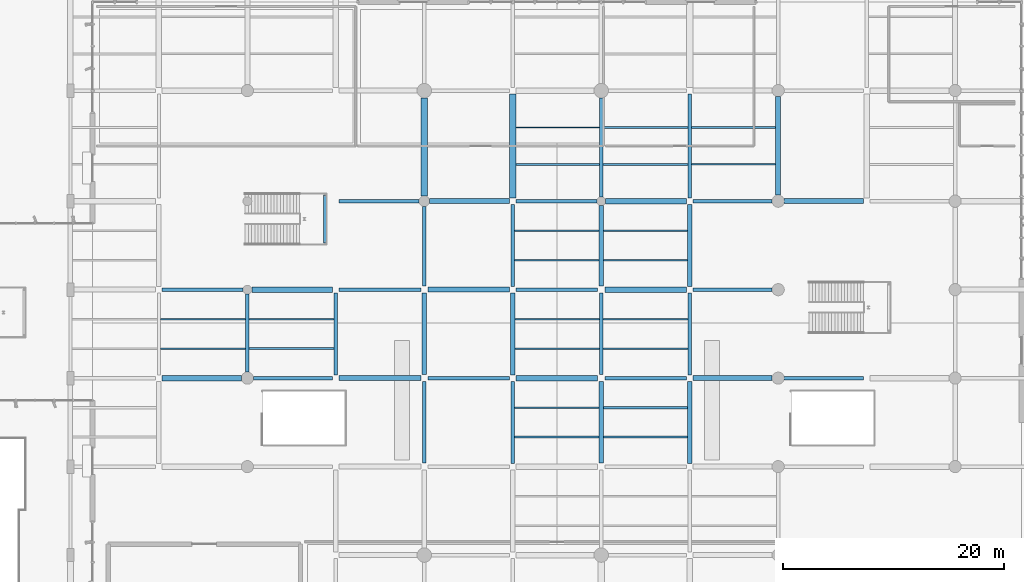
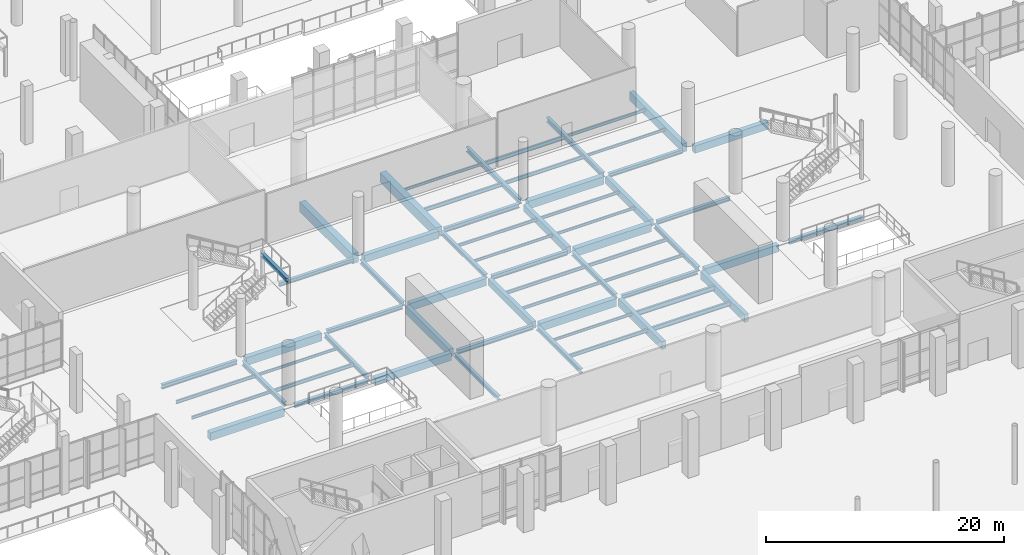
# One storey, part 66 of 163: 63 beams.
"""IFC4 building model written with IfcOpenShell, lengths in metres."""

from ifc_helpers import new_model, si_unit, direction, frame, origin, origin_2d, place, context, subcontext, project, spatial, rectangle, i_section, extrude, material, material_profile, profile_set, type_object, element, save


model = new_model("IFC4")

# Units and contexts
model_context = context("Model", 3, precision=1e-05, world=origin(), true_north=direction((0.0, 1.0)))
body_context = subcontext(model_context, "Body", "Model", "MODEL_VIEW")
ifc_project = project(units=[si_unit("LENGTHUNIT", "METRE"), si_unit("AREAUNIT", "SQUARE_METRE"), si_unit("VOLUMEUNIT", "CUBIC_METRE"), si_unit("PLANEANGLEUNIT", "RADIAN"), si_unit("MASSUNIT", "GRAM", prefix="KILO")], contexts=[model_context])

# Site, building, storey
site_placement = place(None, origin())
site = spatial("IfcSite", under=ifc_project, at=site_placement, CompositionType="ELEMENT")
building_placement = place(site_placement, origin())
building = spatial("IfcBuilding", under=site, at=building_placement, Name="Khorjan Park Terminus", CompositionType="ELEMENT")
storey_placement = place(building_placement, origin())
storey = spatial("IfcBuildingStorey", under=building, at=storey_placement, Name="L00", CompositionType="ELEMENT", Elevation=0.0)

# Beams
ifc_material_1 = material(Name="Steel S355", Category="steel")
ifc_material_profile_1 = material_profile(ifc_material_1, i_section(OverallWidth=0.3, OverallDepth=0.39, WebThickness=0.011, FlangeThickness=0.019, FilletRadius=0.027, at=origin_2d()), Name="HEA 400")
ifc_profile_set_1 = profile_set([ifc_material_profile_1], Name="Steel S355")
beam_type_1 = type_object("IfcBeamType", Name="BM-HEA400", PredefinedType="BEAM", material=ifc_profile_set_1)
beam_1_placement = place(storey_placement, frame((64.545, 52.0, -0.555), z_axis=(1.0, 0.0, 0.0), x_axis=(0.0, 1.0, 0.0)))
element("IfcBeam", 1, at=beam_1_placement, inside=storey, type_object=beam_type_1, Name="Primary floor girder SB-A40 (L00)", PredefinedType="BEAM", context=body_context, shape_type="SweptSolid", body=[
    extrude(i_section(OverallWidth=0.3, OverallDepth=0.39, WebThickness=0.011, FlangeThickness=0.019, FilletRadius=0.027, at=origin_2d()), origin(), (0.0, 0.0, 1.0), 7.16),
])
for number, where, z_axis, x_axis, name in (
    (2, (96.32, 52.0, -0.545), (1.0, 0.0, 0.0), (0.0, 1.0, 0.0), "Primary floor girder SB-A40 (L00)"),
    (3, (72.295, 60.0, -0.555), (1.0, 0.0, 0.0), (0.0, 1.0, 0.0), "Primary floor girder SB-A40 (L00)"),
):
    element("IfcBeam", number, at=place(storey_placement, frame(where, z_axis=z_axis, x_axis=x_axis)), inside=storey, type_object=beam_type_1, Name=name, PredefinedType="BEAM", context=body_context, shape_type="SweptSolid", body=[
        extrude(i_section(OverallWidth=0.3, OverallDepth=0.39, WebThickness=0.011, FlangeThickness=0.019, FilletRadius=0.027, at=origin_2d()), origin(), (0.0, 0.0, 1.0), 7.385),
    ])
beam_2_placement = place(storey_placement, frame((104.295, 60.0, -0.545), z_axis=(1.0, 0.0, 0.0), x_axis=(0.0, 1.0, 0.0)))
element("IfcBeam", 4, at=beam_2_placement, inside=storey, type_object=beam_type_1, Name="Primary floor girder SB-A40 (L00)", PredefinedType="BEAM", context=body_context, shape_type="SweptSolid", body=[
    extrude(i_section(OverallWidth=0.3, OverallDepth=0.39, WebThickness=0.011, FlangeThickness=0.019, FilletRadius=0.027, at=origin_2d()), origin(), (0.0, 0.0, 1.0), 7.16),
])
beam_3_placement = place(storey_placement, frame((72.295, 68.0, -0.555), z_axis=(1.0, 0.0, 0.0), x_axis=(0.0, 1.0, 0.0)))
element("IfcBeam", 5, at=beam_3_placement, inside=storey, type_object=beam_type_1, Name="Primary floor girder SB-A40 (L00)", PredefinedType="BEAM", context=body_context, shape_type="SweptSolid", body=[
    extrude(i_section(OverallWidth=0.3, OverallDepth=0.39, WebThickness=0.011, FlangeThickness=0.019, FilletRadius=0.027, at=origin_2d()), origin(), (0.0, 0.0, 1.0), 7.235),
])
beam_4_placement = place(storey_placement, frame((104.295, 68.0, -0.545), z_axis=(1.0, 0.0, 0.0), x_axis=(0.0, 1.0, 0.0)))
element("IfcBeam", 6, at=beam_4_placement, inside=storey, type_object=beam_type_1, Name="Primary floor girder SB-A40 (L00)", PredefinedType="BEAM", context=body_context, shape_type="SweptSolid", body=[
    extrude(i_section(OverallWidth=0.3, OverallDepth=0.39, WebThickness=0.011, FlangeThickness=0.019, FilletRadius=0.027, at=origin_2d()), origin(), (0.0, 0.0, 1.0), 7.16),
])
beam_5_placement = place(storey_placement, frame((71.05, 64.22, 2.605), z_axis=(0.0, 1.0, 0.0), x_axis=(-1.0, 0.0, 0.0)))
element("IfcBeam", 7, at=beam_5_placement, inside=storey, type_object=beam_type_1, Name="Stair CS-03 half-landing support beam SB-A40", PredefinedType="BEAM", context=body_context, shape_type="SweptSolid", body=[
    extrude(i_section(OverallWidth=0.3, OverallDepth=0.39, WebThickness=0.011, FlangeThickness=0.019, FilletRadius=0.027, at=origin_2d()), origin(), (0.0, 0.0, 1.0), 4.36),
])
ifc_material_profile_2 = material_profile(ifc_material_1, i_section(OverallWidth=0.3, OverallDepth=0.44, WebThickness=0.0115, FlangeThickness=0.021, FilletRadius=0.027, at=origin_2d()), Name="HEA 450")
ifc_profile_set_2 = profile_set([ifc_material_profile_2], Name="Steel S355")
beam_type_2 = type_object("IfcBeamType", Name="BM-HEA450", PredefinedType="BEAM", material=ifc_profile_set_2)
beam_6_placement = place(storey_placement, frame((80.32, 52.0, -0.58), z_axis=(1.0, 0.0, 0.0), x_axis=(0.0, 1.0, 0.0)))
element("IfcBeam", 8, at=beam_6_placement, inside=storey, type_object=beam_type_2, Name="Primary floor girder SB-A45 (L00)", PredefinedType="BEAM", context=body_context, shape_type="SweptSolid", body=[
    extrude(i_section(OverallWidth=0.3, OverallDepth=0.44, WebThickness=0.0115, FlangeThickness=0.021, FilletRadius=0.027, at=origin_2d()), origin(), (0.0, 0.0, 1.0), 7.385),
])
beam_7_placement = place(storey_placement, frame((112.545, 52.0, -0.57), z_axis=(1.0, 0.0, 0.0), x_axis=(0.0, 1.0, 0.0)))
element("IfcBeam", 9, at=beam_7_placement, inside=storey, type_object=beam_type_2, Name="Primary floor girder SB-A45 (L00)", PredefinedType="BEAM", context=body_context, shape_type="SweptSolid", body=[
    extrude(i_section(OverallWidth=0.3, OverallDepth=0.44, WebThickness=0.0115, FlangeThickness=0.021, FilletRadius=0.027, at=origin_2d()), origin(), (0.0, 0.0, 1.0), 7.16),
])
beam_8_placement = place(storey_placement, frame((56.295, 60.0, -0.58), z_axis=(1.0, 0.0, 0.0), x_axis=(0.0, 1.0, 0.0)))
element("IfcBeam", 10, at=beam_8_placement, inside=storey, type_object=beam_type_2, Name="Primary floor girder SB-A45 (L00)", PredefinedType="BEAM", context=body_context, shape_type="SweptSolid", body=[
    extrude(i_section(OverallWidth=0.3, OverallDepth=0.44, WebThickness=0.0115, FlangeThickness=0.021, FilletRadius=0.027, at=origin_2d()), origin(), (0.0, 0.0, 1.0), 7.31),
])
beam_9_placement = place(storey_placement, frame((88.295, 60.0, -0.58), z_axis=(1.0, 0.0, 0.0), x_axis=(0.0, 1.0, 0.0)))
element("IfcBeam", 11, at=beam_9_placement, inside=storey, type_object=beam_type_2, Name="Primary floor girder SB-A45 (L00)", PredefinedType="BEAM", context=body_context, shape_type="SweptSolid", body=[
    extrude(i_section(OverallWidth=0.3, OverallDepth=0.44, WebThickness=0.0115, FlangeThickness=0.021, FilletRadius=0.027, at=origin_2d()), origin(), (0.0, 0.0, 1.0), 7.385),
])
beam_10_placement = place(storey_placement, frame((88.295, 68.0, -0.58), z_axis=(1.0, 0.0, 0.0), x_axis=(0.0, 1.0, 0.0)))
element("IfcBeam", 12, at=beam_10_placement, inside=storey, type_object=beam_type_2, Name="Primary floor girder SB-A45 (L00)", PredefinedType="BEAM", context=body_context, shape_type="SweptSolid", body=[
    extrude(i_section(OverallWidth=0.3, OverallDepth=0.44, WebThickness=0.0115, FlangeThickness=0.021, FilletRadius=0.027, at=origin_2d()), origin(), (0.0, 0.0, 1.0), 7.31),
])
ifc_material_profile_3 = material_profile(ifc_material_1, i_section(OverallWidth=0.3, OverallDepth=0.4, WebThickness=0.0135, FlangeThickness=0.024, FilletRadius=0.027, at=origin_2d()), Name="HEB 400")
ifc_profile_set_3 = profile_set([ifc_material_profile_3], Name="Steel S355")
beam_type_3 = type_object("IfcBeamType", Name="BM-HEB400", PredefinedType="BEAM", material=ifc_profile_set_3)
beam_11_placement = place(storey_placement, frame((80.0, 44.32, -0.56), z_axis=(0.0, 1.0, 0.0), x_axis=(-1.0, 0.0, 0.0)))
element("IfcBeam", 13, at=beam_11_placement, inside=storey, type_object=beam_type_3, Name="Primary floor girder SB-B40 (L00)", PredefinedType="BEAM", context=body_context, shape_type="SweptSolid", body=[
    extrude(i_section(OverallWidth=0.3, OverallDepth=0.4, WebThickness=0.0135, FlangeThickness=0.024, FilletRadius=0.027, at=origin_2d()), origin(), (0.0, 0.0, 1.0), 7.36),
])
beam_12_placement = place(storey_placement, frame((88.0, 60.295, -0.56), z_axis=(0.0, 1.0, 0.0), x_axis=(-1.0, 0.0, 0.0)))
element("IfcBeam", 14, at=beam_12_placement, inside=storey, type_object=beam_type_3, Name="Primary floor girder SB-B40 (L00)", PredefinedType="BEAM", context=body_context, shape_type="SweptSolid", body=[
    extrude(i_section(OverallWidth=0.3, OverallDepth=0.4, WebThickness=0.0135, FlangeThickness=0.024, FilletRadius=0.027, at=origin_2d()), origin(), (0.0, 0.0, 1.0), 7.41),
])
ifc_material_profile_4 = material_profile(ifc_material_1, i_section(OverallWidth=0.3, OverallDepth=0.45, WebThickness=0.014, FlangeThickness=0.026, FilletRadius=0.027, at=origin_2d()), Name="HEB 450")
ifc_profile_set_4 = profile_set([ifc_material_profile_4], Name="Steel S355")
beam_type_4 = type_object("IfcBeamType", Name="BM-HEB450", PredefinedType="BEAM", material=ifc_profile_set_4)
beam_13_placement = place(storey_placement, frame((64.0, 52.545, -0.585), z_axis=(0.0, 1.0, 0.0), x_axis=(-1.0, 0.0, 0.0)))
element("IfcBeam", 15, at=beam_13_placement, inside=storey, type_object=beam_type_4, Name="Primary floor girder SB-B45 (L00)", PredefinedType="BEAM", context=body_context, shape_type="SweptSolid", body=[
    extrude(i_section(OverallWidth=0.3, OverallDepth=0.45, WebThickness=0.014, FlangeThickness=0.026, FilletRadius=0.027, at=origin_2d()), origin(), (0.0, 0.0, 1.0), 7.06),
])
beam_14_placement = place(storey_placement, frame((72.0, 52.295, -0.585), z_axis=(0.0, 1.0, 0.0), x_axis=(-1.0, 0.0, 0.0)))
element("IfcBeam", 16, at=beam_14_placement, inside=storey, type_object=beam_type_4, Name="Primary floor girder SB-B45 (L00)", PredefinedType="BEAM", context=body_context, shape_type="SweptSolid", body=[
    extrude(i_section(OverallWidth=0.3, OverallDepth=0.45, WebThickness=0.014, FlangeThickness=0.026, FilletRadius=0.027, at=origin_2d()), origin(), (0.0, 0.0, 1.0), 7.41),
])
beam_15_placement = place(storey_placement, frame((80.0, 60.32, -0.585), z_axis=(0.0, 1.0, 0.0), x_axis=(-1.0, 0.0, 0.0)))
element("IfcBeam", 17, at=beam_15_placement, inside=storey, type_object=beam_type_4, Name="Primary floor girder SB-B45 (L00)", PredefinedType="BEAM", context=body_context, shape_type="SweptSolid", body=[
    extrude(i_section(OverallWidth=0.3, OverallDepth=0.45, WebThickness=0.014, FlangeThickness=0.026, FilletRadius=0.027, at=origin_2d()), origin(), (0.0, 0.0, 1.0), 7.21),
])
beam_16_placement = place(storey_placement, frame((88.0, 44.295, -0.585), z_axis=(0.0, 1.0, 0.0), x_axis=(-1.0, 0.0, 0.0)))
element("IfcBeam", 18, at=beam_16_placement, inside=storey, type_object=beam_type_4, Name="Primary floor girder SB-B45 (L00)", PredefinedType="BEAM", context=body_context, shape_type="SweptSolid", body=[
    extrude(i_section(OverallWidth=0.3, OverallDepth=0.45, WebThickness=0.014, FlangeThickness=0.026, FilletRadius=0.027, at=origin_2d()), origin(), (0.0, 0.0, 1.0), 7.41),
])
beam_17_placement = place(storey_placement, frame((96.0, 52.32, -0.575), z_axis=(0.0, 1.0, 0.0), x_axis=(-1.0, 0.0, 0.0)))
element("IfcBeam", 19, at=beam_17_placement, inside=storey, type_object=beam_type_4, Name="Primary floor girder SB-B45 (L00)", PredefinedType="BEAM", context=body_context, shape_type="SweptSolid", body=[
    extrude(i_section(OverallWidth=0.3, OverallDepth=0.45, WebThickness=0.014, FlangeThickness=0.026, FilletRadius=0.027, at=origin_2d()), origin(), (0.0, 0.0, 1.0), 7.36),
])
beam_18_placement = place(storey_placement, frame((104.0, 52.295, -0.575), z_axis=(0.0, 1.0, 0.0), x_axis=(-1.0, 0.0, 0.0)))
element("IfcBeam", 20, at=beam_18_placement, inside=storey, type_object=beam_type_4, Name="Primary floor girder SB-B45 (L00)", PredefinedType="BEAM", context=body_context, shape_type="SweptSolid", body=[
    extrude(i_section(OverallWidth=0.3, OverallDepth=0.45, WebThickness=0.014, FlangeThickness=0.026, FilletRadius=0.027, at=origin_2d()), origin(), (0.0, 0.0, 1.0), 7.41),
])
ifc_material_profile_5 = material_profile(ifc_material_1, i_section(OverallWidth=0.3, OverallDepth=0.5, WebThickness=0.0145, FlangeThickness=0.028, FilletRadius=0.027, at=origin_2d()), Name="HEB 500")
ifc_profile_set_5 = profile_set([ifc_material_profile_5], Name="Steel S355")
beam_type_5 = type_object("IfcBeamType", Name="BM-HEB500", PredefinedType="BEAM", material=ifc_profile_set_5)
beam_19_placement = place(storey_placement, frame((96.0, 68.395, -0.6), z_axis=(0.0, 1.0, 0.0), x_axis=(-1.0, 0.0, 0.0)))
element("IfcBeam", 21, at=beam_19_placement, inside=storey, type_object=beam_type_5, Name="Primary floor girder SB-B50 (L00)", PredefinedType="BEAM", context=body_context, shape_type="SweptSolid", body=[
    extrude(i_section(OverallWidth=0.3, OverallDepth=0.5, WebThickness=0.0145, FlangeThickness=0.028, FilletRadius=0.027, at=origin_2d()), origin(), (0.0, 0.0, 1.0), 8.96),
])
beam_20_placement = place(storey_placement, frame((104.0, 68.295, -0.6), z_axis=(0.0, 1.0, 0.0), x_axis=(-1.0, 0.0, 0.0)))
element("IfcBeam", 22, at=beam_20_placement, inside=storey, type_object=beam_type_5, Name="Primary floor girder SB-B50 (L00)", PredefinedType="BEAM", context=body_context, shape_type="SweptSolid", body=[
    extrude(i_section(OverallWidth=0.3, OverallDepth=0.5, WebThickness=0.0145, FlangeThickness=0.028, FilletRadius=0.027, at=origin_2d()), origin(), (0.0, 0.0, 1.0), 9.41),
])
ifc_material_2 = material(Name="Concrete C40/50", Category="concrete")
ifc_material_profile_6 = material_profile(ifc_material_2, rectangle(XDim=0.4, YDim=0.7, at=origin_2d()), Name="RC 400x700")
ifc_profile_set_6 = profile_set([ifc_material_profile_6], Name="Concrete C40/50")
beam_type_6 = type_object("IfcBeamType", Name="BM-RC400x700", PredefinedType="BEAM", material=ifc_profile_set_6)
beam_21_placement = place(storey_placement, frame((88.0, 52.295, -0.71), z_axis=(0.0, 1.0, 0.0), x_axis=(-1.0, 0.0, 0.0)))
element("IfcBeam", 23, at=beam_21_placement, inside=storey, type_object=beam_type_6, Name="Primary floor girder GB-07 (L00)", PredefinedType="BEAM", context=body_context, shape_type="SweptSolid", body=[
    extrude(rectangle(XDim=0.4, YDim=0.7, at=origin_2d()), origin(), (0.0, 0.0, 1.0), 7.41),
])
beam_22_placement = place(storey_placement, frame((96.0, 60.32, -0.7), z_axis=(0.0, 1.0, 0.0), x_axis=(-1.0, 0.0, 0.0)))
element("IfcBeam", 24, at=beam_22_placement, inside=storey, type_object=beam_type_6, Name="Primary floor girder GB-07 (L00)", PredefinedType="BEAM", context=body_context, shape_type="SweptSolid", body=[
    extrude(rectangle(XDim=0.4, YDim=0.7, at=origin_2d()), origin(), (0.0, 0.0, 1.0), 7.285),
])
beam_23_placement = place(storey_placement, frame((104.0, 60.295, -0.7), z_axis=(0.0, 1.0, 0.0), x_axis=(-1.0, 0.0, 0.0)))
element("IfcBeam", 25, at=beam_23_placement, inside=storey, type_object=beam_type_6, Name="Primary floor girder GB-07 (L00)", PredefinedType="BEAM", context=body_context, shape_type="SweptSolid", body=[
    extrude(rectangle(XDim=0.4, YDim=0.7, at=origin_2d()), origin(), (0.0, 0.0, 1.0), 7.41),
])
ifc_material_profile_7 = material_profile(ifc_material_2, rectangle(XDim=0.4, YDim=0.8, at=origin_2d()), Name="RC 400x800")
ifc_profile_set_7 = profile_set([ifc_material_profile_7], Name="Concrete C40/50")
beam_type_7 = type_object("IfcBeamType", Name="BM-RC400x800", PredefinedType="BEAM", material=ifc_profile_set_7)
for number, where, z_axis, x_axis, name in (
    (26, (80.0, 52.32, -0.76), (0.0, 1.0, 0.0), (-1.0, 0.0, 0.0), "Primary floor girder GB-08B (L00)"),
    (27, (96.0, 44.32, -0.75), (0.0, 1.0, 0.0), (-1.0, 0.0, 0.0), "Primary floor girder GB-08B (L00)"),
):
    element("IfcBeam", number, at=place(storey_placement, frame(where, z_axis=z_axis, x_axis=x_axis)), inside=storey, type_object=beam_type_7, Name=name, PredefinedType="BEAM", context=body_context, shape_type="SweptSolid", body=[
        extrude(rectangle(XDim=0.4, YDim=0.8, at=origin_2d()), origin(), (0.0, 0.0, 1.0), 7.36),
    ])
beam_24_placement = place(storey_placement, frame((104.0, 44.295, -0.75), z_axis=(0.0, 1.0, 0.0), x_axis=(-1.0, 0.0, 0.0)))
element("IfcBeam", 28, at=beam_24_placement, inside=storey, type_object=beam_type_7, Name="Primary floor girder GB-08B (L00)", PredefinedType="BEAM", context=body_context, shape_type="SweptSolid", body=[
    extrude(rectangle(XDim=0.4, YDim=0.8, at=origin_2d()), origin(), (0.0, 0.0, 1.0), 7.41),
])
ifc_material_profile_8 = material_profile(ifc_material_2, rectangle(XDim=0.45, YDim=0.75, at=origin_2d()), Name="RC 450x750")
ifc_profile_set_8 = profile_set([ifc_material_profile_8], Name="Concrete C40/50")
beam_type_8 = type_object("IfcBeamType", Name="BM-RC450x750", PredefinedType="BEAM", material=ifc_profile_set_8)
beam_25_placement = place(storey_placement, frame((72.295, 52.0, -0.735), z_axis=(1.0, 0.0, 0.0), x_axis=(0.0, 1.0, 0.0)))
element("IfcBeam", 29, at=beam_25_placement, inside=storey, type_object=beam_type_8, Name="Primary floor girder GB-75 (L00)", PredefinedType="BEAM", context=body_context, shape_type="SweptSolid", body=[
    extrude(rectangle(XDim=0.45, YDim=0.75, at=origin_2d()), origin(), (0.0, 0.0, 1.0), 7.385),
])
beam_26_placement = place(storey_placement, frame((104.295, 52.0, -0.725), z_axis=(1.0, 0.0, 0.0), x_axis=(0.0, 1.0, 0.0)))
element("IfcBeam", 30, at=beam_26_placement, inside=storey, type_object=beam_type_8, Name="Primary floor girder GB-75 (L00)", PredefinedType="BEAM", context=body_context, shape_type="SweptSolid", body=[
    extrude(rectangle(XDim=0.45, YDim=0.75, at=origin_2d()), origin(), (0.0, 0.0, 1.0), 7.16),
])
beam_27_placement = place(storey_placement, frame((80.32, 60.0, -0.735), z_axis=(1.0, 0.0, 0.0), x_axis=(0.0, 1.0, 0.0)))
element("IfcBeam", 31, at=beam_27_placement, inside=storey, type_object=beam_type_8, Name="Primary floor girder GB-75 (L00)", PredefinedType="BEAM", context=body_context, shape_type="SweptSolid", body=[
    extrude(rectangle(XDim=0.45, YDim=0.75, at=origin_2d()), origin(), (0.0, 0.0, 1.0), 7.385),
])
beam_28_placement = place(storey_placement, frame((80.47, 68.0, -0.735), z_axis=(1.0, 0.0, 0.0), x_axis=(0.0, 1.0, 0.0)))
element("IfcBeam", 32, at=beam_28_placement, inside=storey, type_object=beam_type_8, Name="Primary floor girder GB-75 (L00)", PredefinedType="BEAM", context=body_context, shape_type="SweptSolid", body=[
    extrude(rectangle(XDim=0.45, YDim=0.75, at=origin_2d()), origin(), (0.0, 0.0, 1.0), 7.235),
])
beam_29_placement = place(storey_placement, frame((112.545, 68.0, -0.725), z_axis=(1.0, 0.0, 0.0), x_axis=(0.0, 1.0, 0.0)))
element("IfcBeam", 33, at=beam_29_placement, inside=storey, type_object=beam_type_8, Name="Primary floor girder GB-75 (L00)", PredefinedType="BEAM", context=body_context, shape_type="SweptSolid", body=[
    extrude(rectangle(XDim=0.45, YDim=0.75, at=origin_2d()), origin(), (0.0, 0.0, 1.0), 7.16),
])
ifc_material_profile_9 = material_profile(ifc_material_2, rectangle(XDim=0.45, YDim=0.85, at=origin_2d()), Name="RC 450x850")
ifc_profile_set_9 = profile_set([ifc_material_profile_9], Name="Concrete C40/50")
beam_type_9 = type_object("IfcBeamType", Name="BM-RC450x850", PredefinedType="BEAM", material=ifc_profile_set_9)
beam_30_placement = place(storey_placement, frame((112.0, 68.545, -0.775), z_axis=(0.0, 1.0, 0.0), x_axis=(-1.0, 0.0, 0.0)))
element("IfcBeam", 34, at=beam_30_placement, inside=storey, type_object=beam_type_9, Name="Primary floor girder GB-85 (L00)", PredefinedType="BEAM", context=body_context, shape_type="SweptSolid", body=[
    extrude(rectangle(XDim=0.45, YDim=0.85, at=origin_2d()), origin(), (0.0, 0.0, 1.0), 8.91),
])
ifc_material_profile_10 = material_profile(ifc_material_2, rectangle(XDim=0.5, YDim=0.8, at=origin_2d()), Name="RC 500x800")
ifc_profile_set_10 = profile_set([ifc_material_profile_10], Name="Concrete C40/50")
beam_type_10 = type_object("IfcBeamType", Name="BM-RC500x800", PredefinedType="BEAM", material=ifc_profile_set_10)
beam_31_placement = place(storey_placement, frame((56.295, 52.0, -0.76), z_axis=(1.0, 0.0, 0.0), x_axis=(0.0, 1.0, 0.0)))
element("IfcBeam", 35, at=beam_31_placement, inside=storey, type_object=beam_type_10, Name="Primary floor girder GB-08 (L00)", PredefinedType="BEAM", context=body_context, shape_type="SweptSolid", body=[
    extrude(rectangle(XDim=0.5, YDim=0.8, at=origin_2d()), origin(), (0.0, 0.0, 1.0), 7.16),
])
beam_32_placement = place(storey_placement, frame((88.295, 52.0, -0.76), z_axis=(1.0, 0.0, 0.0), x_axis=(0.0, 1.0, 0.0)))
element("IfcBeam", 36, at=beam_32_placement, inside=storey, type_object=beam_type_10, Name="Primary floor girder GB-08 (L00)", PredefinedType="BEAM", context=body_context, shape_type="SweptSolid", body=[
    extrude(rectangle(XDim=0.5, YDim=0.8, at=origin_2d()), origin(), (0.0, 0.0, 1.0), 7.385),
])
beam_33_placement = place(storey_placement, frame((64.395, 60.0, -0.76), z_axis=(1.0, 0.0, 0.0), x_axis=(0.0, 1.0, 0.0)))
element("IfcBeam", 37, at=beam_33_placement, inside=storey, type_object=beam_type_10, Name="Primary floor girder GB-08 (L00)", PredefinedType="BEAM", context=body_context, shape_type="SweptSolid", body=[
    extrude(rectangle(XDim=0.5, YDim=0.8, at=origin_2d()), origin(), (0.0, 0.0, 1.0), 7.31),
])
beam_34_placement = place(storey_placement, frame((96.32, 60.0, -0.75), z_axis=(1.0, 0.0, 0.0), x_axis=(0.0, 1.0, 0.0)))
element("IfcBeam", 38, at=beam_34_placement, inside=storey, type_object=beam_type_10, Name="Primary floor girder GB-08 (L00)", PredefinedType="BEAM", context=body_context, shape_type="SweptSolid", body=[
    extrude(rectangle(XDim=0.5, YDim=0.8, at=origin_2d()), origin(), (0.0, 0.0, 1.0), 7.385),
])
beam_35_placement = place(storey_placement, frame((96.395, 68.0, -0.75), z_axis=(1.0, 0.0, 0.0), x_axis=(0.0, 1.0, 0.0)))
element("IfcBeam", 39, at=beam_35_placement, inside=storey, type_object=beam_type_10, Name="Primary floor girder GB-08 (L00)", PredefinedType="BEAM", context=body_context, shape_type="SweptSolid", body=[
    extrude(rectangle(XDim=0.5, YDim=0.8, at=origin_2d()), origin(), (0.0, 0.0, 1.0), 7.31),
])
ifc_material_profile_11 = material_profile(ifc_material_2, rectangle(XDim=0.6, YDim=1.0, at=origin_2d()), Name="RC 600x1000")
ifc_profile_set_11 = profile_set([ifc_material_profile_11], Name="Concrete C40/50")
beam_type_11 = type_object("IfcBeamType", Name="BM-RC600x1000", PredefinedType="BEAM", material=ifc_profile_set_11)
beam_36_placement = place(storey_placement, frame((80.0, 68.47, -0.86), z_axis=(0.0, 1.0, 0.0), x_axis=(-1.0, 0.0, 0.0)))
element("IfcBeam", 40, at=beam_36_placement, inside=storey, type_object=beam_type_11, Name="Primary floor girder GB-10 (L00)", PredefinedType="BEAM", context=body_context, shape_type="SweptSolid", body=[
    extrude(rectangle(XDim=0.6, YDim=1.0, at=origin_2d()), origin(), (0.0, 0.0, 1.0), 8.885),
])
beam_37_placement = place(storey_placement, frame((88.0, 68.295, -0.86), z_axis=(0.0, 1.0, 0.0), x_axis=(-1.0, 0.0, 0.0)))
element("IfcBeam", 41, at=beam_37_placement, inside=storey, type_object=beam_type_11, Name="Primary floor girder GB-10 (L00)", PredefinedType="BEAM", context=body_context, shape_type="SweptSolid", body=[
    extrude(rectangle(XDim=0.6, YDim=1.0, at=origin_2d()), origin(), (0.0, 0.0, 1.0), 9.41),
])
ifc_material_profile_12 = material_profile(ifc_material_1, i_section(OverallWidth=0.135, OverallDepth=0.27, WebThickness=0.0066, FlangeThickness=0.0102, FilletRadius=0.015, at=origin_2d()), Name="IPE 270")
ifc_profile_set_12 = profile_set([ifc_material_profile_12], Name="Steel S355")
beam_type_12 = type_object("IfcBeamType", Name="JS-IPE270", PredefinedType="JOIST", material=ifc_profile_set_12)
beam_38_placement = place(storey_placement, frame((64.15, 57.3333, -0.495), z_axis=(1.0, 0.0, 0.0), x_axis=(0.0, 1.0, 0.0)))
element("IfcBeam", 42, at=beam_38_placement, inside=storey, type_object=beam_type_12, Name="Secondary composite floor joist SJ-27 (L00)", PredefinedType="JOIST", context=body_context, shape_type="SweptSolid", body=[
    extrude(i_section(OverallWidth=0.135, OverallDepth=0.27, WebThickness=0.0066, FlangeThickness=0.0102, FilletRadius=0.015, at=origin_2d()), origin(), (0.0, 0.0, 1.0), 7.7),
])
for number, where, z_axis, x_axis, name in (
    (43, (88.15, 49.3333, -0.495), (1.0, 0.0, 0.0), (0.0, 1.0, 0.0), "Secondary composite floor joist SJ-27 (L00)"),
    (44, (88.15, 62.6667, -0.495), (1.0, 0.0, 0.0), (0.0, 1.0, 0.0), "Secondary composite floor joist SJ-27 (L00)"),
):
    element("IfcBeam", number, at=place(storey_placement, frame(where, z_axis=z_axis, x_axis=x_axis)), inside=storey, type_object=beam_type_12, Name=name, PredefinedType="JOIST", context=body_context, shape_type="SweptSolid", body=[
        extrude(i_section(OverallWidth=0.135, OverallDepth=0.27, WebThickness=0.0066, FlangeThickness=0.0102, FilletRadius=0.015, at=origin_2d()), origin(), (0.0, 0.0, 1.0), 7.65),
    ])
beam_39_placement = place(storey_placement, frame((88.3, 74.6667, -0.495), z_axis=(1.0, 0.0, 0.0), x_axis=(0.0, 1.0, 0.0)))
element("IfcBeam", 45, at=beam_39_placement, inside=storey, type_object=beam_type_12, Name="Secondary composite floor joist SJ-27 (L00)", PredefinedType="JOIST", context=body_context, shape_type="SweptSolid", body=[
    extrude(i_section(OverallWidth=0.135, OverallDepth=0.27, WebThickness=0.0066, FlangeThickness=0.0102, FilletRadius=0.015, at=origin_2d()), origin(), (0.0, 0.0, 1.0), 7.55),
])
beam_40_placement = place(storey_placement, frame((96.2, 62.6667, -0.485), z_axis=(1.0, 0.0, 0.0), x_axis=(0.0, 1.0, 0.0)))
element("IfcBeam", 46, at=beam_40_placement, inside=storey, type_object=beam_type_12, Name="Secondary composite floor joist SJ-27 (L00)", PredefinedType="JOIST", context=body_context, shape_type="SweptSolid", body=[
    extrude(i_section(OverallWidth=0.135, OverallDepth=0.27, WebThickness=0.0066, FlangeThickness=0.0102, FilletRadius=0.015, at=origin_2d()), origin(), (0.0, 0.0, 1.0), 7.6),
])
beam_41_placement = place(storey_placement, frame((104.15, 71.3333, -0.485), z_axis=(1.0, 0.0, 0.0), x_axis=(0.0, 1.0, 0.0)))
element("IfcBeam", 47, at=beam_41_placement, inside=storey, type_object=beam_type_12, Name="Secondary composite floor joist SJ-27 (L00)", PredefinedType="JOIST", context=body_context, shape_type="SweptSolid", body=[
    extrude(i_section(OverallWidth=0.135, OverallDepth=0.27, WebThickness=0.0066, FlangeThickness=0.0102, FilletRadius=0.015, at=origin_2d()), origin(), (0.0, 0.0, 1.0), 7.625),
])
ifc_material_profile_13 = material_profile(ifc_material_1, i_section(OverallWidth=0.15, OverallDepth=0.3, WebThickness=0.0071, FlangeThickness=0.0107, FilletRadius=0.015, at=origin_2d()), Name="IPE 300")
ifc_profile_set_13 = profile_set([ifc_material_profile_13], Name="Steel S355")
beam_type_13 = type_object("IfcBeamType", Name="JS-IPE300", PredefinedType="JOIST", material=ifc_profile_set_13)
beam_42_placement = place(storey_placement, frame((56.15, 54.6667, -0.51), z_axis=(1.0, 0.0, 0.0), x_axis=(0.0, 1.0, 0.0)))
element("IfcBeam", 48, at=beam_42_placement, inside=storey, type_object=beam_type_13, Name="Secondary composite floor joist SJ-30 (L00)", PredefinedType="JOIST", context=body_context, shape_type="SweptSolid", body=[
    extrude(i_section(OverallWidth=0.15, OverallDepth=0.3, WebThickness=0.0071, FlangeThickness=0.0107, FilletRadius=0.015, at=origin_2d()), origin(), (0.0, 0.0, 1.0), 7.7),
])
for number, where, z_axis, x_axis, name in (
    (49, (88.2, 54.6667, -0.51), (1.0, 0.0, 0.0), (0.0, 1.0, 0.0), "Secondary composite floor joist SJ-30 (L00)"),
    (50, (88.15, 65.3333, -0.51), (1.0, 0.0, 0.0), (0.0, 1.0, 0.0), "Secondary composite floor joist SJ-30 (L00)"),
):
    element("IfcBeam", number, at=place(storey_placement, frame(where, z_axis=z_axis, x_axis=x_axis)), inside=storey, type_object=beam_type_13, Name=name, PredefinedType="JOIST", context=body_context, shape_type="SweptSolid", body=[
        extrude(i_section(OverallWidth=0.15, OverallDepth=0.3, WebThickness=0.0071, FlangeThickness=0.0107, FilletRadius=0.015, at=origin_2d()), origin(), (0.0, 0.0, 1.0), 7.65),
    ])
beam_43_placement = place(storey_placement, frame((96.15, 54.6667, -0.5), z_axis=(1.0, 0.0, 0.0), x_axis=(0.0, 1.0, 0.0)))
element("IfcBeam", 51, at=beam_43_placement, inside=storey, type_object=beam_type_13, Name="Secondary composite floor joist SJ-30 (L00)", PredefinedType="JOIST", context=body_context, shape_type="SweptSolid", body=[
    extrude(i_section(OverallWidth=0.15, OverallDepth=0.3, WebThickness=0.0071, FlangeThickness=0.0107, FilletRadius=0.015, at=origin_2d()), origin(), (0.0, 0.0, 1.0), 7.7),
])
beam_44_placement = place(storey_placement, frame((96.2, 65.3333, -0.5), z_axis=(1.0, 0.0, 0.0), x_axis=(0.0, 1.0, 0.0)))
element("IfcBeam", 52, at=beam_44_placement, inside=storey, type_object=beam_type_13, Name="Secondary composite floor joist SJ-30 (L00)", PredefinedType="JOIST", context=body_context, shape_type="SweptSolid", body=[
    extrude(i_section(OverallWidth=0.15, OverallDepth=0.3, WebThickness=0.0071, FlangeThickness=0.0107, FilletRadius=0.015, at=origin_2d()), origin(), (0.0, 0.0, 1.0), 7.6),
])
beam_45_placement = place(storey_placement, frame((104.15, 74.6667, -0.5), z_axis=(1.0, 0.0, 0.0), x_axis=(0.0, 1.0, 0.0)))
element("IfcBeam", 53, at=beam_45_placement, inside=storey, type_object=beam_type_13, Name="Secondary composite floor joist SJ-30 (L00)", PredefinedType="JOIST", context=body_context, shape_type="SweptSolid", body=[
    extrude(i_section(OverallWidth=0.15, OverallDepth=0.3, WebThickness=0.0071, FlangeThickness=0.0107, FilletRadius=0.015, at=origin_2d()), origin(), (0.0, 0.0, 1.0), 7.625),
])
ifc_material_profile_14 = material_profile(ifc_material_1, i_section(OverallWidth=0.16, OverallDepth=0.33, WebThickness=0.0075, FlangeThickness=0.0115, FilletRadius=0.018, at=origin_2d()), Name="IPE 330")
ifc_profile_set_14 = profile_set([ifc_material_profile_14], Name="Steel S355")
beam_type_14 = type_object("IfcBeamType", Name="JS-IPE330", PredefinedType="JOIST", material=ifc_profile_set_14)
beam_46_placement = place(storey_placement, frame((56.15, 57.3333, -0.525), z_axis=(1.0, 0.0, 0.0), x_axis=(0.0, 1.0, 0.0)))
element("IfcBeam", 54, at=beam_46_placement, inside=storey, type_object=beam_type_14, Name="Secondary composite floor joist SJ-33 (L00)", PredefinedType="JOIST", context=body_context, shape_type="SweptSolid", body=[
    extrude(i_section(OverallWidth=0.16, OverallDepth=0.33, WebThickness=0.0075, FlangeThickness=0.0115, FilletRadius=0.018, at=origin_2d()), origin(), (0.0, 0.0, 1.0), 7.7),
])
beam_47_placement = place(storey_placement, frame((88.2, 57.3333, -0.525), z_axis=(1.0, 0.0, 0.0), x_axis=(0.0, 1.0, 0.0)))
element("IfcBeam", 55, at=beam_47_placement, inside=storey, type_object=beam_type_14, Name="Secondary composite floor joist SJ-33 (L00)", PredefinedType="JOIST", context=body_context, shape_type="SweptSolid", body=[
    extrude(i_section(OverallWidth=0.16, OverallDepth=0.33, WebThickness=0.0075, FlangeThickness=0.0115, FilletRadius=0.018, at=origin_2d()), origin(), (0.0, 0.0, 1.0), 7.65),
])
beam_48_placement = place(storey_placement, frame((96.15, 57.3333, -0.515), z_axis=(1.0, 0.0, 0.0), x_axis=(0.0, 1.0, 0.0)))
element("IfcBeam", 56, at=beam_48_placement, inside=storey, type_object=beam_type_14, Name="Secondary composite floor joist SJ-33 (L00)", PredefinedType="JOIST", context=body_context, shape_type="SweptSolid", body=[
    extrude(i_section(OverallWidth=0.16, OverallDepth=0.33, WebThickness=0.0075, FlangeThickness=0.0115, FilletRadius=0.018, at=origin_2d()), origin(), (0.0, 0.0, 1.0), 7.7),
])
ifc_material_profile_15 = material_profile(ifc_material_1, i_section(OverallWidth=0.17, OverallDepth=0.36, WebThickness=0.008, FlangeThickness=0.0127, FilletRadius=0.018, at=origin_2d()), Name="IPE 360")
ifc_profile_set_15 = profile_set([ifc_material_profile_15], Name="Steel S355")
beam_type_15 = type_object("IfcBeamType", Name="JS-IPE360", PredefinedType="JOIST", material=ifc_profile_set_15)
beam_49_placement = place(storey_placement, frame((64.15, 54.6667, -0.54), z_axis=(1.0, 0.0, 0.0), x_axis=(0.0, 1.0, 0.0)))
element("IfcBeam", 57, at=beam_49_placement, inside=storey, type_object=beam_type_15, Name="Secondary composite floor joist SJ-36 (L00)", PredefinedType="JOIST", context=body_context, shape_type="SweptSolid", body=[
    extrude(i_section(OverallWidth=0.17, OverallDepth=0.36, WebThickness=0.008, FlangeThickness=0.0127, FilletRadius=0.018, at=origin_2d()), origin(), (0.0, 0.0, 1.0), 7.7),
])
beam_50_placement = place(storey_placement, frame((88.15, 46.6667, -0.54), z_axis=(1.0, 0.0, 0.0), x_axis=(0.0, 1.0, 0.0)))
element("IfcBeam", 58, at=beam_50_placement, inside=storey, type_object=beam_type_15, Name="Secondary composite floor joist SJ-36 (L00)", PredefinedType="JOIST", context=body_context, shape_type="SweptSolid", body=[
    extrude(i_section(OverallWidth=0.17, OverallDepth=0.36, WebThickness=0.008, FlangeThickness=0.0127, FilletRadius=0.018, at=origin_2d()), origin(), (0.0, 0.0, 1.0), 7.65),
])
beam_51_placement = place(storey_placement, frame((96.15, 71.3333, -0.53), z_axis=(1.0, 0.0, 0.0), x_axis=(0.0, 1.0, 0.0)))
element("IfcBeam", 59, at=beam_51_placement, inside=storey, type_object=beam_type_15, Name="Secondary composite floor joist SJ-36 (L00)", PredefinedType="JOIST", context=body_context, shape_type="SweptSolid", body=[
    extrude(i_section(OverallWidth=0.17, OverallDepth=0.36, WebThickness=0.008, FlangeThickness=0.0127, FilletRadius=0.018, at=origin_2d()), origin(), (0.0, 0.0, 1.0), 7.7),
])
ifc_material_profile_16 = material_profile(ifc_material_1, i_section(OverallWidth=0.18, OverallDepth=0.4, WebThickness=0.0086, FlangeThickness=0.0135, FilletRadius=0.021, at=origin_2d()), Name="IPE 400")
ifc_profile_set_16 = profile_set([ifc_material_profile_16], Name="Steel S355")
beam_type_16 = type_object("IfcBeamType", Name="JS-IPE400", PredefinedType="JOIST", material=ifc_profile_set_16)
beam_52_placement = place(storey_placement, frame((88.3, 71.3333, -0.56), z_axis=(1.0, 0.0, 0.0), x_axis=(0.0, 1.0, 0.0)))
element("IfcBeam", 60, at=beam_52_placement, inside=storey, type_object=beam_type_16, Name="Secondary composite floor joist SJ-40 (L00)", PredefinedType="JOIST", context=body_context, shape_type="SweptSolid", body=[
    extrude(i_section(OverallWidth=0.18, OverallDepth=0.4, WebThickness=0.0086, FlangeThickness=0.0135, FilletRadius=0.021, at=origin_2d()), origin(), (0.0, 0.0, 1.0), 7.55),
])
beam_53_placement = place(storey_placement, frame((96.15, 74.6667, -0.55), z_axis=(1.0, 0.0, 0.0), x_axis=(0.0, 1.0, 0.0)))
element("IfcBeam", 61, at=beam_53_placement, inside=storey, type_object=beam_type_16, Name="Secondary composite floor joist SJ-40 (L00)", PredefinedType="JOIST", context=body_context, shape_type="SweptSolid", body=[
    extrude(i_section(OverallWidth=0.18, OverallDepth=0.4, WebThickness=0.0086, FlangeThickness=0.0135, FilletRadius=0.021, at=origin_2d()), origin(), (0.0, 0.0, 1.0), 7.7),
])
ifc_material_profile_17 = material_profile(ifc_material_1, i_section(OverallWidth=0.19, OverallDepth=0.45, WebThickness=0.0094, FlangeThickness=0.0146, FilletRadius=0.021, at=origin_2d()), Name="IPE 450")
ifc_profile_set_17 = profile_set([ifc_material_profile_17], Name="Steel S355")
beam_type_17 = type_object("IfcBeamType", Name="JS-IPE450", PredefinedType="JOIST", material=ifc_profile_set_17)
beam_54_placement = place(storey_placement, frame((96.2, 46.6667, -0.575), z_axis=(1.0, 0.0, 0.0), x_axis=(0.0, 1.0, 0.0)))
element("IfcBeam", 62, at=beam_54_placement, inside=storey, type_object=beam_type_17, Name="Secondary composite floor joist SJ-45 (L00)", PredefinedType="JOIST", context=body_context, shape_type="SweptSolid", body=[
    extrude(i_section(OverallWidth=0.19, OverallDepth=0.45, WebThickness=0.0094, FlangeThickness=0.0146, FilletRadius=0.021, at=origin_2d()), origin(), (0.0, 0.0, 1.0), 7.6),
])
ifc_material_profile_18 = material_profile(ifc_material_1, i_section(OverallWidth=0.2, OverallDepth=0.5, WebThickness=0.0102, FlangeThickness=0.016, FilletRadius=0.021, at=origin_2d()), Name="IPE 500")
ifc_profile_set_18 = profile_set([ifc_material_profile_18], Name="Steel S355")
beam_type_18 = type_object("IfcBeamType", Name="JS-IPE500", PredefinedType="JOIST", material=ifc_profile_set_18)
beam_55_placement = place(storey_placement, frame((96.2, 49.3333, -0.6), z_axis=(1.0, 0.0, 0.0), x_axis=(0.0, 1.0, 0.0)))
element("IfcBeam", 63, at=beam_55_placement, inside=storey, type_object=beam_type_18, Name="Secondary composite floor joist SJ-50 (L00)", PredefinedType="JOIST", context=body_context, shape_type="SweptSolid", body=[
    extrude(i_section(OverallWidth=0.2, OverallDepth=0.5, WebThickness=0.0102, FlangeThickness=0.016, FilletRadius=0.021, at=origin_2d()), origin(), (0.0, 0.0, 1.0), 7.6),
])

save(model, "model.ifc")
